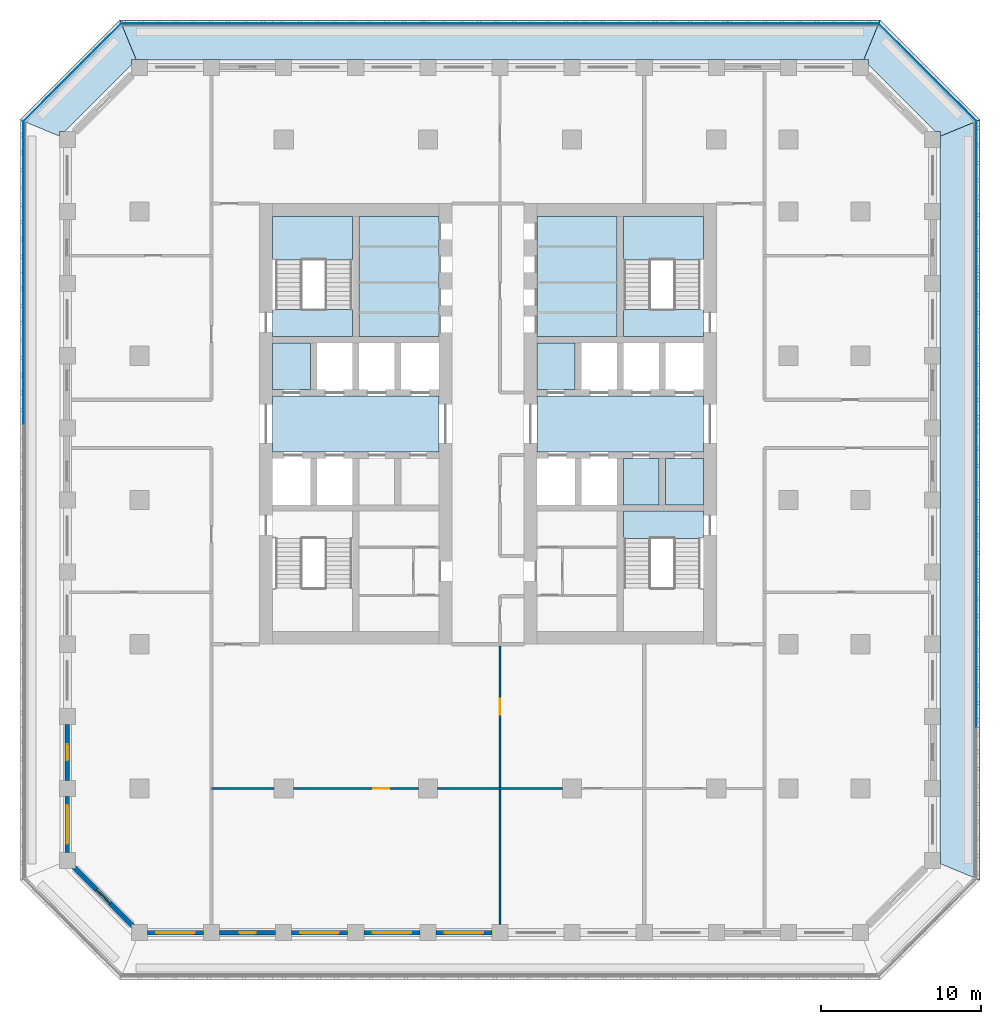
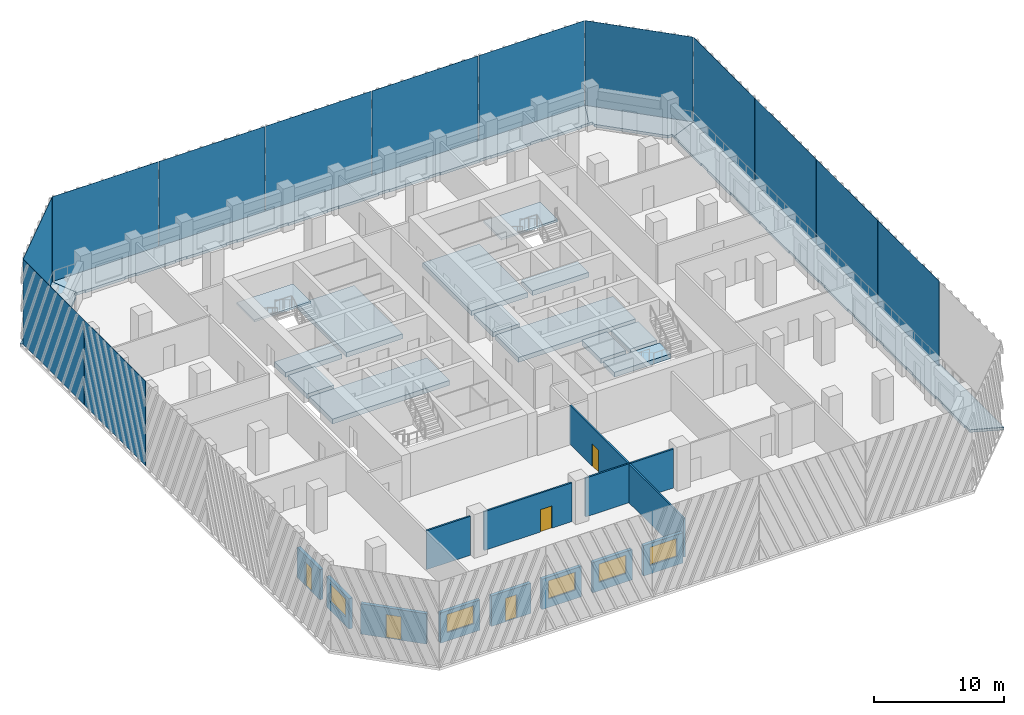
# One storey, part 2 of 16: 17 slabs, 13 plates, 12 walls, 5 doors, 5 windows, 10 openings, 2 elements without a shape of their own.
"""IFC4 building model written with IfcOpenShell, lengths in metres."""

from ifc_helpers import new_model, si_unit, direction, frame, frame_2d, origin, origin_2d, place, context, subcontext, project, spatial, polyline, rectangle, outline, extrude, material, layer, layer_set, type_object, element, fill, aggregate, save


model = new_model("IFC4")

# Units and contexts
model_context = context("Model", 3, precision=1e-05, world=origin(), true_north=direction((0.0, 1.0)))
body_context = subcontext(model_context, "Body", "Model", "MODEL_VIEW")
ifc_project = project(units=[si_unit("LENGTHUNIT", "METRE"), si_unit("AREAUNIT", "SQUARE_METRE"), si_unit("VOLUMEUNIT", "CUBIC_METRE"), si_unit("PLANEANGLEUNIT", "RADIAN"), si_unit("MASSUNIT", "GRAM", prefix="KILO")], contexts=[model_context])

# Site, building, storey
site_placement = place(None, origin())
site = spatial("IfcSite", under=ifc_project, at=site_placement, CompositionType="ELEMENT")
building_placement = place(site_placement, origin())
building = spatial("IfcBuilding", under=site, at=building_placement, Name="Corbel Stack Research Tower", CompositionType="ELEMENT")
storey_placement = place(building_placement, frame((0.0, 0.0, 199.699951171875)))
storey = spatial("IfcBuildingStorey", under=building, at=storey_placement, Name="L45", CompositionType="ELEMENT", Elevation=199.699951171875)

# Plates
ifc_material_1 = material(Name="Fritted glass", Category="glass")
ifc_layer_1 = layer(ifc_material_1, 0.02490234375)
ifc_layer_set_1 = layer_set([ifc_layer_1], Name="Fritted glass")
plate_type = type_object("IfcPlateType", Name="Fritted glass panel 25", PredefinedType="SHEET", material=ifc_layer_set_1)
for number, where, z_axis, x_axis, name in (
    (1, (34.237548828125, -9.45556640625, 0.0), (0.0, 0.0, 1.0), (0.0, 1.0, 0.0), "Fritted glass L45 E2"),
    (2, (34.237548828125, 0.0, 0.0), (0.0, 0.0, 1.0), (0.0, 1.0, 0.0), "Fritted glass L45 E3"),
    (3, (34.237548828125, 9.45556640625, 0.0), (0.0, 0.0, 1.0), (0.0, 1.0, 0.0), "Fritted glass L45 E4"),
    (4, (34.237548828125, 18.911376953125, 0.0), (0.0, 0.0, 1.0), (0.0, 1.0, 0.0), "Fritted glass L45 E5"),
):
    element("IfcPlate", number, at=place(storey_placement, frame(where, z_axis=z_axis, x_axis=x_axis)), inside=storey, type_object=plate_type, Name=name, PredefinedType="SHEET", context=body_context, shape_type="SweptSolid", body=[
        extrude(rectangle(XDim=9.3955078125, YDim=0.02490234375, at=origin_2d()), origin(), (0.0, 0.0, 1.0), 7.949951171875),
    ])
plate_1_placement = place(storey_placement, frame((31.185791015625, 26.685791015625, 0.0), z_axis=(0.0, 0.0, 1.0), x_axis=(-0.707106781187, 0.707106781187, 0.0)))
element("IfcPlate", 5, at=plate_1_placement, inside=storey, type_object=plate_type, Name="Fritted glass L45 NE1", PredefinedType="SHEET", context=body_context, shape_type="SweptSolid", body=[
    extrude(rectangle(XDim=8.58203125, YDim=0.02490234375, at=origin_2d()), origin(), (0.0, 0.0, 1.0), 7.949951171875),
])
for number, where, z_axis, x_axis, name in (
    (6, (23.411376953125, 29.737548828125, 0.0), (0.0, 0.0, 1.0), (-1.0, 0.0, 0.0), "Fritted glass L45 N1"),
    (7, (13.95556640625, 29.737548828125, 0.0), (0.0, 0.0, 1.0), (-1.0, 0.0, 0.0), "Fritted glass L45 N2"),
    (8, (4.5, 29.737548828125, 0.0), (0.0, 0.0, 1.0), (-1.0, 0.0, 0.0), "Fritted glass L45 N3"),
    (9, (-4.95556640625, 29.737548828125, 0.0), (0.0, 0.0, 1.0), (-1.0, 0.0, 0.0), "Fritted glass L45 N4"),
    (10, (-14.411376953125, 29.737548828125, 0.0), (0.0, 0.0, 1.0), (-1.0, 0.0, 0.0), "Fritted glass L45 N5"),
):
    element("IfcPlate", number, at=place(storey_placement, frame(where, z_axis=z_axis, x_axis=x_axis)), inside=storey, type_object=plate_type, Name=name, PredefinedType="SHEET", context=body_context, shape_type="SweptSolid", body=[
        extrude(rectangle(XDim=9.3955078125, YDim=0.02490234375, at=origin_2d()), origin(), (0.0, 0.0, 1.0), 7.949951171875),
    ])
plate_2_placement = place(storey_placement, frame((-22.185791015625, 26.685791015625, 0.0), z_axis=(0.0, 0.0, 1.0), x_axis=(-0.707106781187, -0.707106781187, 0.0)))
element("IfcPlate", 11, at=plate_2_placement, inside=storey, type_object=plate_type, Name="Fritted glass L45 NW1", PredefinedType="SHEET", context=body_context, shape_type="SweptSolid", body=[
    extrude(rectangle(XDim=8.58203125, YDim=0.02490234375, at=origin_2d()), origin(), (0.0, 0.0, 1.0), 7.949951171875),
])
for number, where, z_axis, x_axis, name in (
    (12, (-25.237548828125, 18.911376953125, 0.0), (0.0, 0.0, 1.0), (0.0, -1.0, 0.0), "Fritted glass L45 W1"),
    (13, (-25.237548828125, 9.45556640625, 0.0), (0.0, 0.0, 1.0), (0.0, -1.0, 0.0), "Fritted glass L45 W2"),
):
    element("IfcPlate", number, at=place(storey_placement, frame(where, z_axis=z_axis, x_axis=x_axis)), inside=storey, type_object=plate_type, Name=name, PredefinedType="SHEET", context=body_context, shape_type="SweptSolid", body=[
        extrude(rectangle(XDim=9.3955078125, YDim=0.02490234375, at=origin_2d()), origin(), (0.0, 0.0, 1.0), 7.949951171875),
    ])

# Slabs
ifc_material_2 = material(Name="Concrete C45/55", Category="concrete")
ifc_layer_2 = layer(ifc_material_2, 0.25)
ifc_layer_set_2 = layer_set([ifc_layer_2], Name="Concrete C45/55")
slab_type_1 = type_object("IfcSlabType", Name="PT balcony slab 250 C45/55", PredefinedType="FLOOR", material=ifc_layer_set_2)
slab_1_placement = place(storey_placement, frame((0.0, 0.0, -0.25)))
element("IfcSlab", 14, at=slab_1_placement, inside=storey, type_object=slab_type_1, Name="Loggia slab L45 E", PredefinedType="FLOOR", context=body_context, shape_type="SweptSolid", body=[
    extrude(outline(polyline([(32.0, 22.70703125), (32.0, 22.0), (31.949951171875, 22.0), (31.949951171875, 18.5), (32.0, 18.5), (32.0, 17.5), (31.949951171875, 17.5), (31.949951171875, 14.0), (32.0, 14.0), (32.0, 13.0), (31.949951171875, 13.0), (31.949951171875, 9.5), (32.0, 9.5), (32.0, 8.5), (31.949951171875, 8.5), (31.949951171875, 5.0), (32.0, 5.0), (32.0, 4.0), (31.949951171875, 4.0), (31.949951171875, 0.5), (32.0, 0.5), (32.0, -0.5), (31.949951171875, -0.5), (31.949951171875, -4.0), (32.0, -4.0), (32.0, -5.0), (31.949951171875, -5.0), (31.949951171875, -8.5), (32.0, -8.5), (32.0, -9.5), (31.949951171875, -9.5), (31.949951171875, -13.0), (32.0, -13.0), (32.0, -14.0), (31.949951171875, -14.0), (31.949951171875, -17.5), (32.0, -17.5), (32.0, -18.5), (31.949951171875, -18.5), (31.949951171875, -22.0), (32.0, -22.0), (32.0, -22.70703125), (34.449951171875, -23.721923828125), (34.449951171875, 23.721923828125), (32.0, 22.70703125)])), origin(), (0.0, 0.0, 1.0), 0.25),
])
slab_2_placement = place(storey_placement, frame((0.0, 0.0, -0.25)))
element("IfcSlab", 15, at=slab_2_placement, inside=storey, type_object=slab_type_1, Name="Loggia slab L45 NE", PredefinedType="FLOOR", context=body_context, shape_type="SweptSolid", body=[
    extrude(outline(polyline([(27.20703125, 27.5), (27.5, 27.5), (27.5, 27.136474609375), (31.636474609375, 23.0), (32.0, 23.0), (32.0, 22.70703125), (34.449951171875, 23.721923828125), (28.221923828125, 29.949951171875), (27.20703125, 27.5)])), origin(), (0.0, 0.0, 1.0), 0.25),
])
slab_3_placement = place(storey_placement, frame((0.0, 0.0, -0.25)))
element("IfcSlab", 16, at=slab_3_placement, inside=storey, type_object=slab_type_1, Name="Loggia slab L45 N", PredefinedType="FLOOR", context=body_context, shape_type="SweptSolid", body=[
    extrude(outline(polyline([(-18.20703125, 27.5), (-17.5, 27.5), (-17.5, 27.449951171875), (-14.0, 27.449951171875), (-14.0, 27.5), (-13.0, 27.5), (-13.0, 27.449951171875), (-9.5, 27.449951171875), (-9.5, 27.5), (-8.5, 27.5), (-8.5, 27.449951171875), (-5.0, 27.449951171875), (-5.0, 27.5), (-4.0, 27.5), (-4.0, 27.449951171875), (-0.5, 27.449951171875), (-0.5, 27.5), (0.5, 27.5), (0.5, 27.449951171875), (4.0, 27.449951171875), (4.0, 27.5), (5.0, 27.5), (5.0, 27.449951171875), (8.5, 27.449951171875), (8.5, 27.5), (9.5, 27.5), (9.5, 27.449951171875), (13.0, 27.449951171875), (13.0, 27.5), (14.0, 27.5), (14.0, 27.449951171875), (17.5, 27.449951171875), (17.5, 27.5), (18.5, 27.5), (18.5, 27.449951171875), (22.0, 27.449951171875), (22.0, 27.5), (23.0, 27.5), (23.0, 27.449951171875), (26.5, 27.449951171875), (26.5, 27.5), (27.20703125, 27.5), (28.221923828125, 29.949951171875), (-19.221923828125, 29.949951171875), (-18.20703125, 27.5)])), origin(), (0.0, 0.0, 1.0), 0.25),
])
slab_4_placement = place(storey_placement, frame((0.0, 0.0, -0.25)))
element("IfcSlab", 17, at=slab_4_placement, inside=storey, type_object=slab_type_1, Name="Loggia slab L45 NW", PredefinedType="FLOOR", context=body_context, shape_type="SweptSolid", body=[
    extrude(outline(polyline([(-23.0, 22.70703125), (-23.0, 23.0), (-22.636474609375, 23.0), (-18.5, 27.136474609375), (-18.5, 27.5), (-18.20703125, 27.5), (-19.221923828125, 29.949951171875), (-25.449951171875, 23.721923828125), (-23.0, 22.70703125)])), origin(), (0.0, 0.0, 1.0), 0.25),
])
ifc_material_3 = material(Name="Concrete C45/55", Category="concrete")
ifc_layer_3 = layer(ifc_material_3, 0.449951171875)
ifc_layer_set_3 = layer_set([ifc_layer_3], Name="Concrete C45/55")
slab_type_2 = type_object("IfcSlabType", Name="PT-450", PredefinedType="FLOOR", material=ifc_layer_set_3)
slab_5_placement = place(storey_placement, frame((0.0, 0.0, -0.449951171875)))
element("IfcSlab", 18, at=slab_5_placement, inside=storey, type_object=slab_type_2, Name="West core floor L45", PredefinedType="FLOOR", context=body_context, shape_type="SweptSolid", body=[
    extrude(outline(polyline([(0.699951171875, 6.5), (-9.699951171875, 6.5), (-9.699951171875, 3.0), (0.699951171875, 3.0), (0.699951171875, 6.5)])), origin(), (0.0, 0.0, 1.0), 0.449951171875),
])
slab_6_placement = place(storey_placement, frame((0.0, 0.0, -0.449951171875)))
element("IfcSlab", 19, at=slab_6_placement, inside=storey, type_object=slab_type_2, Name="West core floor L45", PredefinedType="FLOOR", context=body_context, shape_type="SweptSolid", body=[
    extrude(outline(polyline([(-9.699951171875, 6.89990234375), (-7.324951171875, 6.89990234375), (-7.324951171875, 9.800048828125), (-9.699951171875, 9.800048828125), (-9.699951171875, 6.89990234375)])), origin(), (0.0, 0.0, 1.0), 0.449951171875),
])
slab_7_placement = place(storey_placement, frame((0.0, 0.0, -0.449951171875)))
element("IfcSlab", 20, at=slab_7_placement, inside=storey, type_object=slab_type_2, Name="West core floor L45", PredefinedType="FLOOR", context=body_context, shape_type="SweptSolid", body=[
    extrude(outline(polyline([(0.699951171875, 17.699951171875), (-4.300048828125, 17.699951171875), (-4.300048828125, 10.199951171875), (0.699951171875, 10.199951171875), (0.699951171875, 17.699951171875)])), origin(), (0.0, 0.0, 1.0), 0.449951171875),
])
slab_8_placement = place(storey_placement, frame((0.0, 0.0, -0.449951171875)))
element("IfcSlab", 21, at=slab_8_placement, inside=storey, type_object=slab_type_2, Name="East core floor L45", PredefinedType="FLOOR", context=body_context, shape_type="SweptSolid", body=[
    extrude(outline(polyline([(17.199951171875, 6.5), (6.800048828125, 6.5), (6.800048828125, 3.0), (17.199951171875, 3.0), (17.199951171875, 6.5)])), origin(), (0.0, 0.0, 1.0), 0.449951171875),
])
slab_9_placement = place(storey_placement, frame((0.0, 0.0, -0.449951171875)))
element("IfcSlab", 22, at=slab_9_placement, inside=storey, type_object=slab_type_2, Name="East core floor L45", PredefinedType="FLOOR", context=body_context, shape_type="SweptSolid", body=[
    extrude(outline(polyline([(6.800048828125, 6.89990234375), (9.175048828125, 6.89990234375), (9.175048828125, 9.800048828125), (6.800048828125, 9.800048828125), (6.800048828125, 6.89990234375)])), origin(), (0.0, 0.0, 1.0), 0.449951171875),
])
slab_10_placement = place(storey_placement, frame((0.0, 0.0, -0.449951171875)))
element("IfcSlab", 23, at=slab_10_placement, inside=storey, type_object=slab_type_2, Name="East core floor L45", PredefinedType="FLOOR", context=body_context, shape_type="SweptSolid", body=[
    extrude(outline(polyline([(6.800048828125, 17.699951171875), (6.800048828125, 10.199951171875), (11.800048828125, 10.199951171875), (11.800048828125, 17.699951171875), (6.800048828125, 17.699951171875)])), origin(), (0.0, 0.0, 1.0), 0.449951171875),
])
slab_11_placement = place(storey_placement, frame((0.0, 0.0, -0.449951171875)))
element("IfcSlab", 24, at=slab_11_placement, inside=storey, type_object=slab_type_2, Name="East core floor L45", PredefinedType="FLOOR", context=body_context, shape_type="SweptSolid", body=[
    extrude(outline(polyline([(14.425048828125, -0.300048828125), (14.425048828125, 2.60009765625), (12.199951171875, 2.60009765625), (12.199951171875, -0.300048828125), (14.425048828125, -0.300048828125)])), origin(), (0.0, 0.0, 1.0), 0.449951171875),
])
slab_12_placement = place(storey_placement, frame((0.0, 0.0, -0.449951171875)))
element("IfcSlab", 25, at=slab_12_placement, inside=storey, type_object=slab_type_2, Name="East core floor L45", PredefinedType="FLOOR", context=body_context, shape_type="SweptSolid", body=[
    extrude(outline(polyline([(17.199951171875, -0.300048828125), (17.199951171875, 2.60009765625), (14.824951171875, 2.60009765625), (14.824951171875, -0.300048828125), (17.199951171875, -0.300048828125)])), origin(), (0.0, 0.0, 1.0), 0.449951171875),
])
slab_13_placement = place(storey_placement, frame((0.0, 0.0, -0.449951171875)))
element("IfcSlab", 26, at=slab_13_placement, inside=storey, type_object=slab_type_2, Name="Stair floor landing ST-W2", PredefinedType="FLOOR", context=body_context, shape_type="SweptSolid", body=[
    extrude(outline(polyline([(-9.699951171875, 10.199951171875), (-4.699951171875, 10.199951171875), (-4.699951171875, 11.89990234375), (-9.699951171875, 11.89990234375), (-9.699951171875, 10.199951171875)])), origin(), (0.0, 0.0, 1.0), 0.449951171875),
])
slab_14_placement = place(storey_placement, frame((0.0, 0.0, -0.449951171875)))
element("IfcSlab", 27, at=slab_14_placement, inside=storey, type_object=slab_type_2, Name="Stair floor landing ST-E1", PredefinedType="FLOOR", context=body_context, shape_type="SweptSolid", body=[
    extrude(outline(polyline([(12.199951171875, -2.39990234375), (17.199951171875, -2.39990234375), (17.199951171875, -0.699951171875), (12.199951171875, -0.699951171875), (12.199951171875, -2.39990234375)])), origin(), (0.0, 0.0, 1.0), 0.449951171875),
])
slab_15_placement = place(storey_placement, frame((0.0, 0.0, -0.449951171875)))
element("IfcSlab", 28, at=slab_15_placement, inside=storey, type_object=slab_type_2, Name="Stair floor landing ST-E2", PredefinedType="FLOOR", context=body_context, shape_type="SweptSolid", body=[
    extrude(outline(polyline([(12.199951171875, 10.199951171875), (17.199951171875, 10.199951171875), (17.199951171875, 11.89990234375), (12.199951171875, 11.89990234375), (12.199951171875, 10.199951171875)])), origin(), (0.0, 0.0, 1.0), 0.449951171875),
])

# Stair, slab
ifc_material_4 = material(Name="Concrete C40/50", Category="concrete")
stair_type = type_object("IfcStairType", Name="Exit stair 24 risers", PredefinedType="HALF_TURN_STAIR", material=ifc_material_4)
stair_1_placement = place(storey_placement, origin())
stair_1 = element("IfcStair", 29, at=stair_1_placement, inside=storey, type_object=stair_type, Name="L45 Exit stair ST-W2", PredefinedType="HALF_TURN_STAIR")
ifc_material_5 = material(Name="Concrete C40/50", Category="concrete")
ifc_layer_4 = layer(ifc_material_5, 0.199951171875)
ifc_layer_set_4 = layer_set([ifc_layer_4], Name="Concrete C40/50")
slab_type_3 = type_object("IfcSlabType", Name="Stair landing 200 C40/50", PredefinedType="LANDING", material=ifc_layer_set_4)
slab_16_placement = place(storey_placement, frame((0.0, 0.0, 1.85009765625)))
slab_16 = element("IfcSlab", 30, at=slab_16_placement, type_object=slab_type_3, Name="ST-W2 landing 1", PredefinedType="LANDING", context=body_context, shape_type="SweptSolid", body=[
    extrude(outline(polyline([(-9.699951171875, 14.97998046875), (-9.699951171875, 17.699951171875), (-4.699951171875, 17.699951171875), (-4.699951171875, 14.97998046875), (-9.699951171875, 14.97998046875)])), origin(), (0.0, 0.0, 1.0), 0.199951171875),
])
aggregate(stair_1, [slab_16])

stair_2_placement = place(storey_placement, origin())
stair_2 = element("IfcStair", 31, at=stair_2_placement, inside=storey, type_object=stair_type, Name="L45 Exit stair ST-E2", PredefinedType="HALF_TURN_STAIR")
slab_17_placement = place(storey_placement, frame((0.0, 0.0, 1.85009765625)))
slab_17 = element("IfcSlab", 32, at=slab_17_placement, type_object=slab_type_3, Name="ST-E2 landing 1", PredefinedType="LANDING", context=body_context, shape_type="SweptSolid", body=[
    extrude(outline(polyline([(12.199951171875, 14.97998046875), (12.199951171875, 17.699951171875), (17.199951171875, 17.699951171875), (17.199951171875, 14.97998046875), (12.199951171875, 14.97998046875)])), origin(), (0.0, 0.0, 1.0), 0.199951171875),
])
aggregate(stair_2, [slab_17])

# Wall, opening, door
ifc_material_6 = material(Name="Fire-rated gypsum board partition on steel studs", Category="steel")
ifc_layer_5 = layer(ifc_material_6, 0.14990234375)
ifc_layer_set_5 = layer_set([ifc_layer_5], Name="Fire-rated gypsum board partition on steel studs")
wall_type_1 = type_object("IfcWallType", Name="Fire-rated partition 150 EI 60", PredefinedType="PARTITIONING", material=ifc_layer_set_5)
wall_1_placement = place(storey_placement, frame((4.5, -9.0, 0.0), z_axis=(0.0, 0.0, 1.0), x_axis=(0.0, -1.0, 0.0)))
wall_1 = element("IfcWall", 33, at=wall_1_placement, inside=storey, type_object=wall_type_1, Name="Partition L45-003", PredefinedType="PARTITIONING", context=body_context, shape_type="SweptSolid", body=[
    extrude(rectangle(XDim=17.5, YDim=0.14990234375, at=frame_2d((8.75, 0.0))), origin(), (0.0, 0.0, 1.0), 3.650146484375),
])
opening_1_placement = place(wall_1_placement, frame((3.39990234375, 0.0, 0.0)))
opening_1 = element("IfcOpeningElement", 34, at=opening_1_placement, cuts=wall_1, Name="Opening B6V0-011", PredefinedType="OPENING", context=body_context, shape_type="SweptSolid", body=[
    extrude(rectangle(XDim=1.0, YDim=2.10009765625, at=frame_2d((0.5, 1.050048828125))), frame((0.0, 0.0849609375, 0.0), z_axis=(0.0, -1.0, 0.0), x_axis=(1.0, 0.0, 0.0)), (0.0, 0.0, 1.0), 0.169921875),
])
ifc_material_7 = material(Name="Painted steel fire door", Category="steel")
door_type_1 = type_object("IfcDoorType", Name="Fire door FD30S 1000 x 2100", OperationType="NOTDEFINED", PredefinedType="DOOR", material=ifc_material_7)
door_1_placement = place(opening_1_placement, origin())
door_1 = element("IfcDoor", 35, at=door_1_placement, inside=storey, type_object=door_type_1, Name="Door B6V0-011", OperationType="SINGLE_SWING_LEFT", OverallHeight=2.10009765625, OverallWidth=1.0, PredefinedType="DOOR", context=body_context, shape_type="SweptSolid", body=[
    extrude(rectangle(XDim=1.0, YDim=2.10009765625, at=frame_2d((0.5, 1.050048828125))), frame((0.0, 0.02490234375, 0.0), z_axis=(0.0, -1.0, 0.0), x_axis=(1.0, 0.0, 0.0)), (0.0, 0.0, 1.0), 0.050048828125),
])
fill(opening_1, door_1)

# Wall
ifc_material_8 = material(Name="Gypsum board partition on steel studs", Category="steel")
ifc_layer_6 = layer(ifc_material_8, 0.14990234375)
ifc_layer_set_6 = layer_set([ifc_layer_6], Name="Gypsum board partition on steel studs")
wall_type_2 = type_object("IfcWallType", Name="Partition 150", PredefinedType="PARTITIONING", material=ifc_layer_set_6)
wall_2_placement = place(storey_placement, frame((-13.5, -18.0, 0.0), z_axis=(0.0, 0.0, 1.0), x_axis=(1.0, 0.0, 0.0)))
element("IfcWall", 36, at=wall_2_placement, inside=storey, type_object=wall_type_2, Name="Partition L45-012", PredefinedType="PARTITIONING", context=body_context, shape_type="SweptSolid", body=[
    extrude(rectangle(XDim=3.89990234375, YDim=0.14990234375, at=frame_2d((1.949951171875, 0.0))), origin(), (0.0, 0.0, 1.0), 3.650146484375),
])

# Wall, opening, door
wall_3_placement = place(storey_placement, frame((-0.60009765625, -18.0, 0.0), z_axis=(0.0, 0.0, 1.0), x_axis=(-1.0, 0.0, 0.0)))
wall_3 = element("IfcWall", 37, at=wall_3_placement, inside=storey, type_object=wall_type_2, Name="Partition L45-013", PredefinedType="PARTITIONING", context=body_context, shape_type="SweptSolid", body=[
    extrude(rectangle(XDim=7.7998046875, YDim=0.14990234375, at=frame_2d((3.89990234375, 0.0))), origin(), (0.0, 0.0, 1.0), 3.650146484375),
])
opening_2_placement = place(wall_3_placement, frame((1.800048828125, 0.0, 0.0)))
opening_2 = element("IfcOpeningElement", 38, at=opening_2_placement, cuts=wall_3, Name="Opening B6V0-001", PredefinedType="OPENING", context=body_context, shape_type="SweptSolid", body=[
    extrude(rectangle(XDim=1.0, YDim=2.10009765625, at=frame_2d((0.5, 1.050048828125))), frame((0.0, 0.0849609375, 0.0), z_axis=(0.0, -1.0, 0.0), x_axis=(1.0, 0.0, 0.0)), (0.0, 0.0, 1.0), 0.169921875),
])
ifc_material_9 = material(Name="Painted timber door", Category="wood")
door_type_2 = type_object("IfcDoorType", Name="Single door 1000 x 2100", OperationType="NOTDEFINED", PredefinedType="DOOR", material=ifc_material_9)
door_2_placement = place(opening_2_placement, origin())
door_2 = element("IfcDoor", 39, at=door_2_placement, inside=storey, type_object=door_type_2, Name="Door B6V0-001", OperationType="SINGLE_SWING_LEFT", OverallHeight=2.10009765625, OverallWidth=1.0, PredefinedType="DOOR", context=body_context, shape_type="SweptSolid", body=[
    extrude(rectangle(XDim=1.0, YDim=2.10009765625, at=frame_2d((0.5, 1.050048828125))), frame((0.0, 0.02490234375, 0.0), z_axis=(0.0, -1.0, 0.0), x_axis=(1.0, 0.0, 0.0)), (0.0, 0.0, 1.0), 0.050048828125),
])
fill(opening_2, door_2)

# Wall
wall_4_placement = place(storey_placement, frame((0.60009765625, -18.0, 0.0), z_axis=(0.0, 0.0, 1.0), x_axis=(1.0, 0.0, 0.0)))
element("IfcWall", 40, at=wall_4_placement, inside=storey, type_object=wall_type_2, Name="Partition L45-014", PredefinedType="PARTITIONING", context=body_context, shape_type="SweptSolid", body=[
    extrude(rectangle(XDim=7.7998046875, YDim=0.14990234375, at=frame_2d((3.89990234375, 0.0))), origin(), (0.0, 0.0, 1.0), 3.650146484375),
])

# Wall, opening, window
ifc_material_10 = material(Name="Concrete C45/55", Category="concrete")
ifc_layer_7 = layer(ifc_material_10, 0.300048828125)
ifc_layer_set_7 = layer_set([ifc_layer_7], Name="Concrete C45/55")
wall_type_3 = type_object("IfcWallType", Name="Terracotta-faced concrete wall 300", PredefinedType="SOLIDWALL", material=ifc_layer_set_7)
wall_5_placement = place(storey_placement, frame((-14.0, -27.0, 0.0), z_axis=(0.0, 0.0, 1.0), x_axis=(-1.0, 0.0, 0.0)))
wall_5 = element("IfcWall", 41, at=wall_5_placement, inside=storey, type_object=wall_type_3, Name="Facade wall L45 S01", PredefinedType="SOLIDWALL", context=body_context, shape_type="SweptSolid", body=[
    extrude(rectangle(XDim=3.5, YDim=0.300048828125, at=frame_2d((1.75, 0.0))), origin(), (0.0, 0.0, 1.0), 2.85009765625),
])
opening_3_placement = place(wall_5_placement, frame((0.550048828125, 0.0, 0.800048828125)))
opening_3 = element("IfcOpeningElement", 42, at=opening_3_placement, cuts=wall_5, Name="Opening W1", PredefinedType="OPENING", context=body_context, shape_type="SweptSolid", body=[
    extrude(rectangle(XDim=2.39990234375, YDim=1.699951171875, at=frame_2d((1.199951171875, 0.85009765625))), frame((0.0, 0.159912109375, 0.0), z_axis=(0.0, -1.0, 0.0), x_axis=(1.0, 0.0, 0.0)), (0.0, 0.0, 1.0), 0.320068359375),
])
ifc_material_11 = material(Name="Aluminium frame, clear double glazing", Category="aluminium")
window_type = type_object("IfcWindowType", Name="Window W1 2400 x 1700", PartitioningType="SINGLE_PANEL", PredefinedType="WINDOW", material=ifc_material_11)
window_1_placement = place(opening_3_placement, origin())
window_1 = element("IfcWindow", 43, at=window_1_placement, inside=storey, type_object=window_type, Name="Window W1 L45 S01", OverallHeight=1.699951171875, OverallWidth=2.39990234375, PartitioningType="SINGLE_PANEL", PredefinedType="WINDOW", context=body_context, shape_type="SweptSolid", body=[
    extrude(rectangle(XDim=2.39990234375, YDim=1.699951171875, at=frame_2d((1.199951171875, 0.85009765625))), frame((0.0, 0.030029296875, 0.0), z_axis=(0.0, -1.0, 0.0), x_axis=(1.0, 0.0, 0.0)), (0.0, 0.0, 1.0), 0.06005859375),
])
fill(opening_3, window_1)

# Wall, opening, door
wall_6_placement = place(storey_placement, frame((-9.5, -27.0, 0.0), z_axis=(0.0, 0.0, 1.0), x_axis=(-1.0, 0.0, 0.0)))
wall_6 = element("IfcWall", 44, at=wall_6_placement, inside=storey, type_object=wall_type_3, Name="Facade wall L45 S02", PredefinedType="SOLIDWALL", context=body_context, shape_type="SweptSolid", body=[
    extrude(rectangle(XDim=3.5, YDim=0.300048828125, at=frame_2d((1.75, 0.0))), origin(), (0.0, 0.0, 1.0), 2.85009765625),
])
opening_4_placement = place(wall_6_placement, frame((1.25, 0.0, 0.0)))
opening_4 = element("IfcOpeningElement", 45, at=opening_4_placement, cuts=wall_6, Name="Opening L45-B01", PredefinedType="OPENING", context=body_context, shape_type="SweptSolid", body=[
    extrude(rectangle(XDim=1.0, YDim=2.199951171875, at=frame_2d((0.5, 1.10009765625))), frame((0.0, 0.159912109375, 0.0), z_axis=(0.0, -1.0, 0.0), x_axis=(1.0, 0.0, 0.0)), (0.0, 0.0, 1.0), 0.320068359375),
])
ifc_material_12 = material(Name="Aluminium frame, clear double glazing", Category="aluminium")
door_type_3 = type_object("IfcDoorType", Name="Balcony door BD1 1000 x 2200", OperationType="NOTDEFINED", PredefinedType="DOOR", material=ifc_material_12)
door_3_placement = place(opening_4_placement, origin())
door_3 = element("IfcDoor", 46, at=door_3_placement, inside=storey, type_object=door_type_3, Name="Balcony door L45-B01", OperationType="SINGLE_SWING_LEFT", OverallHeight=2.199951171875, OverallWidth=1.0, PredefinedType="DOOR", context=body_context, shape_type="SweptSolid", body=[
    extrude(rectangle(XDim=1.0, YDim=2.199951171875, at=frame_2d((0.5, 1.10009765625))), frame((0.0, 0.02490234375, 0.0), z_axis=(0.0, -1.0, 0.0), x_axis=(1.0, 0.0, 0.0)), (0.0, 0.0, 1.0), 0.050048828125),
])
fill(opening_4, door_3)

# Wall, opening, window
wall_7_placement = place(storey_placement, frame((-5.0, -27.0, 0.0), z_axis=(0.0, 0.0, 1.0), x_axis=(-1.0, 0.0, 0.0)))
wall_7 = element("IfcWall", 47, at=wall_7_placement, inside=storey, type_object=wall_type_3, Name="Facade wall L45 S03", PredefinedType="SOLIDWALL", context=body_context, shape_type="SweptSolid", body=[
    extrude(rectangle(XDim=3.5, YDim=0.300048828125, at=frame_2d((1.75, 0.0))), origin(), (0.0, 0.0, 1.0), 2.85009765625),
])
opening_5_placement = place(wall_7_placement, frame((0.550048828125, 0.0, 0.800048828125)))
opening_5 = element("IfcOpeningElement", 48, at=opening_5_placement, cuts=wall_7, Name="Opening W1", PredefinedType="OPENING", context=body_context, shape_type="SweptSolid", body=[
    extrude(rectangle(XDim=2.39990234375, YDim=1.699951171875, at=frame_2d((1.199951171875, 0.85009765625))), frame((0.0, 0.159912109375, 0.0), z_axis=(0.0, -1.0, 0.0), x_axis=(1.0, 0.0, 0.0)), (0.0, 0.0, 1.0), 0.320068359375),
])
window_2_placement = place(opening_5_placement, origin())
window_2 = element("IfcWindow", 49, at=window_2_placement, inside=storey, type_object=window_type, Name="Window W1 L45 S03", OverallHeight=1.699951171875, OverallWidth=2.39990234375, PartitioningType="SINGLE_PANEL", PredefinedType="WINDOW", context=body_context, shape_type="SweptSolid", body=[
    extrude(rectangle(XDim=2.39990234375, YDim=1.699951171875, at=frame_2d((1.199951171875, 0.85009765625))), frame((0.0, 0.030029296875, 0.0), z_axis=(0.0, -1.0, 0.0), x_axis=(1.0, 0.0, 0.0)), (0.0, 0.0, 1.0), 0.06005859375),
])
fill(opening_5, window_2)

wall_8_placement = place(storey_placement, frame((-0.5, -27.0, 0.0), z_axis=(0.0, 0.0, 1.0), x_axis=(-1.0, 0.0, 0.0)))
wall_8 = element("IfcWall", 50, at=wall_8_placement, inside=storey, type_object=wall_type_3, Name="Facade wall L45 S04", PredefinedType="SOLIDWALL", context=body_context, shape_type="SweptSolid", body=[
    extrude(rectangle(XDim=3.5, YDim=0.300048828125, at=frame_2d((1.75, 0.0))), origin(), (0.0, 0.0, 1.0), 2.85009765625),
])
opening_6_placement = place(wall_8_placement, frame((0.550048828125, 0.0, 0.800048828125)))
opening_6 = element("IfcOpeningElement", 51, at=opening_6_placement, cuts=wall_8, Name="Opening W1", PredefinedType="OPENING", context=body_context, shape_type="SweptSolid", body=[
    extrude(rectangle(XDim=2.39990234375, YDim=1.699951171875, at=frame_2d((1.199951171875, 0.85009765625))), frame((0.0, 0.159912109375, 0.0), z_axis=(0.0, -1.0, 0.0), x_axis=(1.0, 0.0, 0.0)), (0.0, 0.0, 1.0), 0.320068359375),
])
window_3_placement = place(opening_6_placement, origin())
window_3 = element("IfcWindow", 52, at=window_3_placement, inside=storey, type_object=window_type, Name="Window W1 L45 S04", OverallHeight=1.699951171875, OverallWidth=2.39990234375, PartitioningType="SINGLE_PANEL", PredefinedType="WINDOW", context=body_context, shape_type="SweptSolid", body=[
    extrude(rectangle(XDim=2.39990234375, YDim=1.699951171875, at=frame_2d((1.199951171875, 0.85009765625))), frame((0.0, 0.030029296875, 0.0), z_axis=(0.0, -1.0, 0.0), x_axis=(1.0, 0.0, 0.0)), (0.0, 0.0, 1.0), 0.06005859375),
])
fill(opening_6, window_3)

wall_9_placement = place(storey_placement, frame((4.0, -27.0, 0.0), z_axis=(0.0, 0.0, 1.0), x_axis=(-1.0, 0.0, 0.0)))
wall_9 = element("IfcWall", 53, at=wall_9_placement, inside=storey, type_object=wall_type_3, Name="Facade wall L45 S05", PredefinedType="SOLIDWALL", context=body_context, shape_type="SweptSolid", body=[
    extrude(rectangle(XDim=3.5, YDim=0.300048828125, at=frame_2d((1.75, 0.0))), origin(), (0.0, 0.0, 1.0), 2.85009765625),
])
opening_7_placement = place(wall_9_placement, frame((0.550048828125, 0.0, 0.800048828125)))
opening_7 = element("IfcOpeningElement", 54, at=opening_7_placement, cuts=wall_9, Name="Opening W1", PredefinedType="OPENING", context=body_context, shape_type="SweptSolid", body=[
    extrude(rectangle(XDim=2.39990234375, YDim=1.699951171875, at=frame_2d((1.199951171875, 0.85009765625))), frame((0.0, 0.159912109375, 0.0), z_axis=(0.0, -1.0, 0.0), x_axis=(1.0, 0.0, 0.0)), (0.0, 0.0, 1.0), 0.320068359375),
])
window_4_placement = place(opening_7_placement, origin())
window_4 = element("IfcWindow", 55, at=window_4_placement, inside=storey, type_object=window_type, Name="Window W1 L45 S05", OverallHeight=1.699951171875, OverallWidth=2.39990234375, PartitioningType="SINGLE_PANEL", PredefinedType="WINDOW", context=body_context, shape_type="SweptSolid", body=[
    extrude(rectangle(XDim=2.39990234375, YDim=1.699951171875, at=frame_2d((1.199951171875, 0.85009765625))), frame((0.0, 0.030029296875, 0.0), z_axis=(0.0, -1.0, 0.0), x_axis=(1.0, 0.0, 0.0)), (0.0, 0.0, 1.0), 0.06005859375),
])
fill(opening_7, window_4)

# Wall, opening, door
wall_10_placement = place(storey_placement, frame((-22.5, -17.5, 0.0), z_axis=(0.0, 0.0, 1.0), x_axis=(0.0, 1.0, 0.0)))
wall_10 = element("IfcWall", 56, at=wall_10_placement, inside=storey, type_object=wall_type_3, Name="Facade wall L45 W09", PredefinedType="SOLIDWALL", context=body_context, shape_type="SweptSolid", body=[
    extrude(rectangle(XDim=3.5, YDim=0.300048828125, at=frame_2d((1.75, 0.0))), origin(), (0.0, 0.0, 1.0), 2.85009765625),
])
opening_8_placement = place(wall_10_placement, frame((1.25, 0.0, 0.0)))
opening_8 = element("IfcOpeningElement", 57, at=opening_8_placement, cuts=wall_10, Name="Opening L45-B11", PredefinedType="OPENING", context=body_context, shape_type="SweptSolid", body=[
    extrude(rectangle(XDim=1.0, YDim=2.199951171875, at=frame_2d((0.5, 1.10009765625))), frame((0.0, 0.159912109375, 0.0), z_axis=(0.0, -1.0, 0.0), x_axis=(1.0, 0.0, 0.0)), (0.0, 0.0, 1.0), 0.320068359375),
])
door_4_placement = place(opening_8_placement, origin())
door_4 = element("IfcDoor", 58, at=door_4_placement, inside=storey, type_object=door_type_3, Name="Balcony door L45-B11", OperationType="SINGLE_SWING_RIGHT", OverallHeight=2.199951171875, OverallWidth=1.0, PredefinedType="DOOR", context=body_context, shape_type="SweptSolid", body=[
    extrude(rectangle(XDim=1.0, YDim=2.199951171875, at=frame_2d((0.5, 1.10009765625))), frame((0.0, 0.02490234375, 0.0), z_axis=(0.0, -1.0, 0.0), x_axis=(1.0, 0.0, 0.0)), (0.0, 0.0, 1.0), 0.050048828125),
])
fill(opening_8, door_4)

# Wall, opening, window
wall_11_placement = place(storey_placement, frame((-22.5, -22.0, 0.0), z_axis=(0.0, 0.0, 1.0), x_axis=(0.0, 1.0, 0.0)))
wall_11 = element("IfcWall", 59, at=wall_11_placement, inside=storey, type_object=wall_type_3, Name="Facade wall L45 W10", PredefinedType="SOLIDWALL", context=body_context, shape_type="SweptSolid", body=[
    extrude(rectangle(XDim=3.5, YDim=0.300048828125, at=frame_2d((1.75, 0.0))), origin(), (0.0, 0.0, 1.0), 2.85009765625),
])
opening_9_placement = place(wall_11_placement, frame((0.550048828125, 0.0, 0.800048828125)))
opening_9 = element("IfcOpeningElement", 60, at=opening_9_placement, cuts=wall_11, Name="Opening W1", PredefinedType="OPENING", context=body_context, shape_type="SweptSolid", body=[
    extrude(rectangle(XDim=2.39990234375, YDim=1.699951171875, at=frame_2d((1.199951171875, 0.85009765625))), frame((0.0, 0.159912109375, 0.0), z_axis=(0.0, -1.0, 0.0), x_axis=(1.0, 0.0, 0.0)), (0.0, 0.0, 1.0), 0.320068359375),
])
window_5_placement = place(opening_9_placement, origin())
window_5 = element("IfcWindow", 61, at=window_5_placement, inside=storey, type_object=window_type, Name="Window W1 L45 W10", OverallHeight=1.699951171875, OverallWidth=2.39990234375, PartitioningType="SINGLE_PANEL", PredefinedType="WINDOW", context=body_context, shape_type="SweptSolid", body=[
    extrude(rectangle(XDim=2.39990234375, YDim=1.699951171875, at=frame_2d((1.199951171875, 0.85009765625))), frame((0.0, 0.030029296875, 0.0), z_axis=(0.0, -1.0, 0.0), x_axis=(1.0, 0.0, 0.0)), (0.0, 0.0, 1.0), 0.06005859375),
])
fill(opening_9, window_5)

# Wall, opening, door
wall_12_placement = place(storey_placement, frame((-18.393798828125, -26.606201171875, 0.0), z_axis=(0.0, 0.0, 1.0), x_axis=(-0.707106781187, 0.707106781187, 0.0)))
wall_12 = element("IfcWall", 62, at=wall_12_placement, inside=storey, type_object=wall_type_3, Name="Facade wall L45 SW01", PredefinedType="SOLIDWALL", context=body_context, shape_type="SweptSolid", body=[
    extrude(rectangle(XDim=5.250244140625, YDim=0.300048828125, at=frame_2d((2.625, 0.0))), origin(), (0.0, 0.0, 1.0), 2.85009765625),
])
opening_10_placement = place(wall_12_placement, frame((2.02490234375, 0.0, 0.0)))
opening_10 = element("IfcOpeningElement", 63, at=opening_10_placement, cuts=wall_12, Name="Opening L45-B12", PredefinedType="OPENING", context=body_context, shape_type="SweptSolid", body=[
    extrude(rectangle(XDim=1.199951171875, YDim=2.199951171875, at=frame_2d((0.60009765625, 1.10009765625))), frame((0.0, 0.159912109375, 0.0), z_axis=(0.0, -1.0, 0.0), x_axis=(1.0, 0.0, 0.0)), (0.0, 0.0, 1.0), 0.320068359375),
])
ifc_material_13 = material(Name="Aluminium frame, clear double glazing", Category="aluminium")
door_type_4 = type_object("IfcDoorType", Name="Balcony door BD2 1200 x 2200", OperationType="NOTDEFINED", PredefinedType="DOOR", material=ifc_material_13)
door_5_placement = place(opening_10_placement, origin())
door_5 = element("IfcDoor", 64, at=door_5_placement, inside=storey, type_object=door_type_4, Name="Balcony door L45-B12", OperationType="SINGLE_SWING_RIGHT", OverallHeight=2.199951171875, OverallWidth=1.199951171875, PredefinedType="DOOR", context=body_context, shape_type="SweptSolid", body=[
    extrude(rectangle(XDim=1.199951171875, YDim=2.199951171875, at=frame_2d((0.60009765625, 1.10009765625))), frame((0.0, 0.02490234375, 0.0), z_axis=(0.0, -1.0, 0.0), x_axis=(1.0, 0.0, 0.0)), (0.0, 0.0, 1.0), 0.050048828125),
])
fill(opening_10, door_5)

save(model, "model.ifc")
